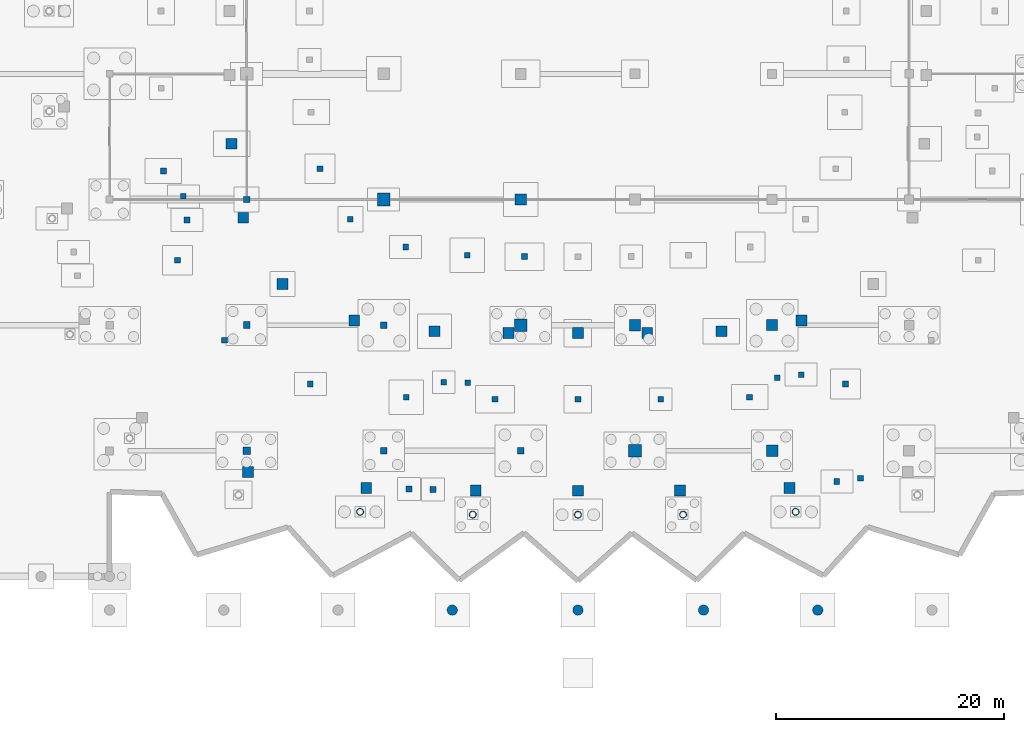
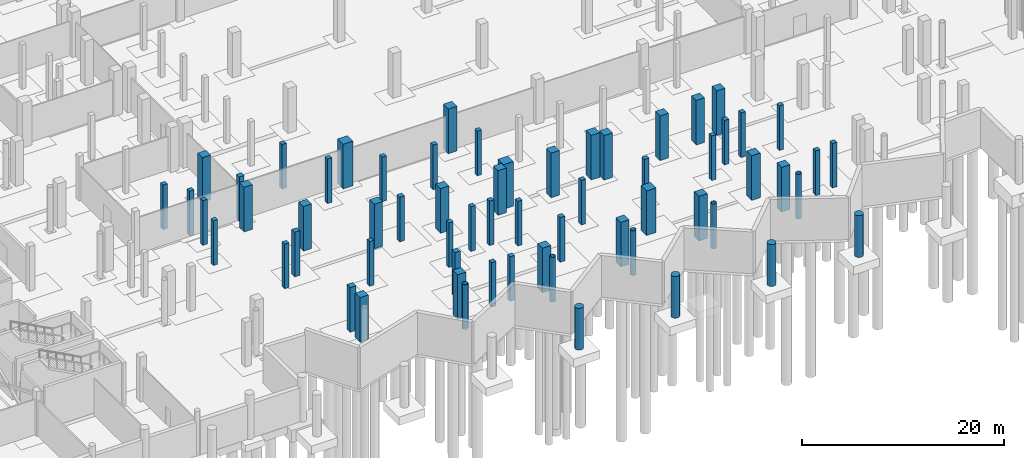
# One storey, part 13 of 60: 63 columns.
"""IFC4 building model written with IfcOpenShell, lengths in metres."""

from ifc_helpers import new_model, si_unit, direction, frame, origin, origin_2d, place, context, subcontext, project, spatial, rectangle, circle, hollow_circle, extrude, material, material_profile, profile_set, type_object, element, save


model = new_model("IFC4")

# Units and contexts
model_context = context("Model", 3, precision=1e-05, world=origin(), true_north=direction((0.0, 1.0)))
body_context = subcontext(model_context, "Body", "Model", "MODEL_VIEW")
ifc_project = project(units=[si_unit("LENGTHUNIT", "METRE"), si_unit("AREAUNIT", "SQUARE_METRE"), si_unit("VOLUMEUNIT", "CUBIC_METRE"), si_unit("PLANEANGLEUNIT", "RADIAN"), si_unit("MASSUNIT", "GRAM", prefix="KILO")], contexts=[model_context])

# Site, building, storey
site_placement = place(None, origin())
site = spatial("IfcSite", under=ifc_project, at=site_placement, CompositionType="ELEMENT")
building_placement = place(site_placement, origin())
building = spatial("IfcBuilding", under=site, at=building_placement, Name="Luwafu Chhajja Arena", CompositionType="ELEMENT")
storey_placement = place(building_placement, frame((0.0, 0.0, -5.39990234375)))
storey = spatial("IfcBuildingStorey", under=building, at=storey_placement, Name="B1", CompositionType="ELEMENT", Elevation=-5.39990234375)

# Columns
ifc_material_1 = material(Name="Concrete C40/50", Category="concrete")
ifc_material_profile_1 = material_profile(ifc_material_1, rectangle(XDim=1.0, YDim=1.0, at=origin_2d()), Name="RC 1000x1000")
ifc_profile_set_1 = profile_set([ifc_material_profile_1], Name="Concrete C40/50")
column_type_1 = type_object("IfcColumnType", Name="Bowl Primary Column RC 1000", PredefinedType="COLUMN", material=ifc_profile_set_1)
for number, where, z_axis, x_axis, name in (
    (1, (94.0, 33.0, 0.0), (0.0, 0.0, 1.0), (1.0, 0.0, 0.0), "B1 Grid Column 9/D"),
    (2, (104.0, 22.0, 0.0), (0.0, 0.0, 1.0), (1.0, 0.0, 0.0), "B1 Grid Column 10/C"),
    (3, (116.0, 11.0, 0.0), (0.0, 0.0, 1.0), (1.0, 0.0, 0.0), "B1 Grid Column 11/B"),
):
    element("IfcColumn", number, at=place(storey_placement, frame(where, z_axis=z_axis, x_axis=x_axis)), inside=storey, type_object=column_type_1, Name=name, PredefinedType="COLUMN", context=body_context, shape_type="SweptSolid", body=[
        extrude(rectangle(XDim=1.0, YDim=1.0, at=origin_2d()), origin(), (0.0, 0.0, 1.0), 5.39990234375),
    ])
ifc_material_profile_2 = material_profile(ifc_material_1, rectangle(XDim=0.949951171875, YDim=0.949951171875, at=origin_2d()), Name="RC 950x950")
ifc_profile_set_2 = profile_set([ifc_material_profile_2], Name="Concrete C40/50")
column_type_2 = type_object("IfcColumnType", Name="Bowl Raker Support Column RC 950", PredefinedType="COLUMN", material=ifc_profile_set_2)
for number, where, z_axis, x_axis, name in (
    (4, (116.0, 22.0, 0.0), (0.0, 0.0, 1.0), (1.0, 0.0, 0.0), "B1 Grid Column 11/C"),
    (5, (68.676513671875, 37.88671875, 0.0), (0.0, 0.0, 1.0), (1.0, 0.0, 0.0), "B1 Upper Bowl Raker Column UI19"),
    (6, (69.701416015625, 31.399658203125, 0.0), (0.0, 0.0, 1.0), (1.0, 0.0, 0.0), "B1 Upper Bowl Raker Column UI20"),
    (7, (73.14013671875, 25.590087890625, 0.0), (0.0, 0.0, 1.0), (1.0, 0.0, 0.0), "B1 Upper Bowl Raker Column UI21"),
    (8, (79.42333984375, 22.410888671875, 0.0), (0.0, 0.0, 1.0), (1.0, 0.0, 0.0), "B1 Upper Bowl Raker Column UI22"),
    (9, (86.439697265625, 21.463134765625, 0.0), (0.0, 0.0, 1.0), (1.0, 0.0, 0.0), "B1 Upper Bowl Raker Column UI23"),
    (10, (92.934814453125, 21.3076171875, 0.0), (0.0, 0.0, 1.0), (1.0, 0.0, 0.0), "B1 Upper Bowl Raker Column UI24"),
    (11, (99.0, 21.300048828125, 0.0), (0.0, 0.0, 1.0), (1.0, 0.0, 0.0), "B1 Upper Bowl Raker Column UI25"),
    (12, (105.065185546875, 21.3076171875, 0.0), (0.0, 0.0, 1.0), (1.0, 0.0, 0.0), "B1 Upper Bowl Raker Column UI26"),
    (13, (111.560302734375, 21.463134765625, 0.0), (0.0, 0.0, 1.0), (1.0, 0.0, 0.0), "B1 Upper Bowl Raker Column UI27"),
    (14, (118.57666015625, 22.410888671875, 0.0), (0.0, 0.0, 1.0), (1.0, 0.0, 0.0), "B1 Upper Bowl Raker Column UI28"),
    (15, (70.116455078125, 9.154541015625, 0.0), (0.0, 0.0, 1.0), (1.0, 0.0, 0.0), "B1 Upper Bowl Raker Column UO22"),
    (16, (80.46826171875, 7.7431640625, 0.0), (0.0, 0.0, 1.0), (1.0, 0.0, 0.0), "B1 Upper Bowl Raker Column UO23"),
    (17, (90.051513671875, 7.51123046875, 0.0), (0.0, 0.0, 1.0), (1.0, 0.0, 0.0), "B1 Upper Bowl Raker Column UO24"),
    (18, (99.0, 7.5, 0.0), (0.0, 0.0, 1.0), (1.0, 0.0, 0.0), "B1 Upper Bowl Raker Column UO25"),
    (19, (107.948486328125, 7.51123046875, 0.0), (0.0, 0.0, 1.0), (1.0, 0.0, 0.0), "B1 Upper Bowl Raker Column UO26"),
    (20, (117.53173828125, 7.7431640625, 0.0), (0.0, 0.0, 1.0), (1.0, 0.0, 0.0), "B1 Upper Bowl Raker Column UO27"),
):
    element("IfcColumn", number, at=place(storey_placement, frame(where, z_axis=z_axis, x_axis=x_axis)), inside=storey, type_object=column_type_2, Name=name, PredefinedType="COLUMN", context=body_context, shape_type="SweptSolid", body=[
        extrude(rectangle(XDim=0.949951171875, YDim=0.949951171875, at=origin_2d()), origin(), (0.0, 0.0, 1.0), 5.39990234375),
    ])
ifc_material_profile_3 = material_profile(ifc_material_1, rectangle(XDim=1.10009765625, YDim=1.10009765625, at=origin_2d()), Name="RC 1100x1100")
ifc_profile_set_3 = profile_set([ifc_material_profile_3], Name="Concrete C40/50")
column_type_3 = type_object("IfcColumnType", Name="Bowl Rim Mega Column RC 1100", PredefinedType="COLUMN", material=ifc_profile_set_3)
for number, where, z_axis, x_axis, name in (
    (21, (82.0, 33.0, 0.0), (0.0, 0.0, 1.0), (1.0, 0.0, 0.0), "B1 Grid Column 8/D"),
    (22, (94.0, 22.0, 0.0), (0.0, 0.0, 1.0), (1.0, 0.0, 0.0), "B1 Grid Column 9/C"),
    (23, (104.0, 11.0, 0.0), (0.0, 0.0, 1.0), (1.0, 0.0, 0.0), "B1 Grid Column 10/B"),
):
    element("IfcColumn", number, at=place(storey_placement, frame(where, z_axis=z_axis, x_axis=x_axis)), inside=storey, type_object=column_type_3, Name=name, PredefinedType="COLUMN", context=body_context, shape_type="SweptSolid", body=[
        extrude(rectangle(XDim=1.10009765625, YDim=1.10009765625, at=origin_2d()), origin(), (0.0, 0.0, 1.0), 5.39990234375),
    ])
ifc_material_2 = material(Name="Concrete C35/45", Category="concrete")
ifc_material_profile_4 = material_profile(ifc_material_2, rectangle(XDim=0.550048828125, YDim=0.550048828125, at=origin_2d()), Name="RC 550x550")
ifc_profile_set_4 = profile_set([ifc_material_profile_4], Name="Concrete C35/45")
column_type_4 = type_object("IfcColumnType", Name="Gallery Column RC 550", PredefinedType="COLUMN", material=ifc_profile_set_4)
for number, where, z_axis, x_axis, name in (
    (24, (70.0, 33.0, 0.0), (0.0, 0.0, 1.0), (1.0, 0.0, 0.0), "B1 Grid Column 7/D"),
    (25, (82.0, 22.0, 0.0), (0.0, 0.0, 1.0), (1.0, 0.0, 0.0), "B1 Grid Column 8/C"),
    (26, (94.0, 11.0, 0.0), (0.0, 0.0, 1.0), (1.0, 0.0, 0.0), "B1 Grid Column 9/B"),
):
    element("IfcColumn", number, at=place(storey_placement, frame(where, z_axis=z_axis, x_axis=x_axis)), inside=storey, type_object=column_type_4, Name=name, PredefinedType="COLUMN", context=body_context, shape_type="SweptSolid", body=[
        extrude(rectangle(XDim=0.550048828125, YDim=0.550048828125, at=origin_2d()), origin(), (0.0, 0.0, 1.0), 5.39990234375),
    ])
ifc_material_profile_5 = material_profile(ifc_material_2, rectangle(XDim=0.60009765625, YDim=0.60009765625, at=origin_2d()), Name="RC 600x600")
ifc_profile_set_5 = profile_set([ifc_material_profile_5], Name="Concrete C35/45")
column_type_5 = type_object("IfcColumnType", Name="Mezzanine Column RC 600", PredefinedType="COLUMN", material=ifc_profile_set_5)
for number, where, z_axis, x_axis, name in (
    (27, (70.0, 22.0, 0.0), (0.0, 0.0, 1.0), (1.0, 0.0, 0.0), "B1 Grid Column 7/C"),
    (28, (82.0, 11.0, 0.0), (0.0, 0.0, 1.0), (1.0, 0.0, 0.0), "B1 Grid Column 8/B"),
):
    element("IfcColumn", number, at=place(storey_placement, frame(where, z_axis=z_axis, x_axis=x_axis)), inside=storey, type_object=column_type_5, Name=name, PredefinedType="COLUMN", context=body_context, shape_type="SweptSolid", body=[
        extrude(rectangle(XDim=0.60009765625, YDim=0.60009765625, at=origin_2d()), origin(), (0.0, 0.0, 1.0), 5.39990234375),
    ])
ifc_material_profile_6 = material_profile(ifc_material_1, circle(Radius=0.449951171875, at=origin_2d()), Name="RC COL D900")
ifc_profile_set_6 = profile_set([ifc_material_profile_6], Name="Concrete C40/50")
column_type_6 = type_object("IfcColumnType", Name="Mughal Colonnade Drum Pier D900", PredefinedType="COLUMN", material=ifc_profile_set_6)
for number, where, z_axis, x_axis, name in (
    (29, (88.0, -2.949951171875, 0.0), (0.0, 0.0, 1.0), (1.0, 0.0, 0.0), "B1 Plinth Apron Pier FC09"),
    (30, (99.0, -2.949951171875, 0.0), (0.0, 0.0, 1.0), (1.0, 0.0, 0.0), "B1 Plinth Apron Pier FC10"),
    (31, (110.0, -2.949951171875, 0.0), (0.0, 0.0, 1.0), (1.0, 0.0, 0.0), "B1 Plinth Apron Pier FC11"),
    (32, (120.0, -2.949951171875, 0.0), (0.0, 0.0, 1.0), (1.0, 0.0, 0.0), "B1 Plinth Apron Pier FC12"),
):
    element("IfcColumn", number, at=place(storey_placement, frame(where, z_axis=z_axis, x_axis=x_axis)), inside=storey, type_object=column_type_6, Name=name, PredefinedType="COLUMN", context=body_context, shape_type="SweptSolid", body=[
        extrude(circle(Radius=0.449951171875, at=origin_2d()), origin(), (0.0, 0.0, 1.0), 5.0498046875),
    ])
ifc_material_profile_7 = material_profile(ifc_material_2, rectangle(XDim=0.5, YDim=0.5, at=origin_2d()), Name="RC 500x500")
ifc_profile_set_7 = profile_set([ifc_material_profile_7], Name="Concrete C35/45")
column_type_7 = type_object("IfcColumnType", Name="Pavilion Column RC 500", PredefinedType="COLUMN", material=ifc_profile_set_7)
for number, where, z_axis, x_axis, name in (
    (33, (76.42578125, 35.7001953125, 0.0), (0.0, 0.0, 1.0), (1.0, 0.0, 0.0), "B1 Lower Bowl Support Column 20"),
    (34, (79.0751953125, 31.27099609375, 0.0), (0.0, 0.0, 1.0), (1.0, 0.0, 0.0), "B1 Lower Bowl Support Column 21"),
    (35, (83.91650390625, 28.846923828125, 0.0), (0.0, 0.0, 1.0), (1.0, 0.0, 0.0), "B1 Lower Bowl Support Column 22"),
    (36, (89.322265625, 28.12451171875, 0.0), (0.0, 0.0, 1.0), (1.0, 0.0, 0.0), "B1 Lower Bowl Support Column 23"),
    (37, (94.326904296875, 28.005859375, 0.0), (0.0, 0.0, 1.0), (1.0, 0.0, 0.0), "B1 Lower Bowl Support Column 24"),
    (38, (62.711181640625, 35.498291015625, 0.0), (0.0, 0.0, 1.0), (1.0, 0.0, 0.0), "B1 Lower Bowl Support Column 19"),
    (39, (63.93798828125, 27.677001953125, 0.0), (0.0, 0.0, 1.0), (1.0, 0.0, 0.0), "B1 Lower Bowl Support Column 20"),
    (40, (68.052978515625, 20.672607421875, 0.0), (0.0, 0.0, 1.0), (1.0, 0.0, 0.0), "B1 Lower Bowl Support Column 21"),
    (41, (75.572265625, 16.83935546875, 0.0), (0.0, 0.0, 1.0), (1.0, 0.0, 0.0), "B1 Lower Bowl Support Column 22"),
    (42, (83.96875, 15.69677734375, 0.0), (0.0, 0.0, 1.0), (1.0, 0.0, 0.0), "B1 Lower Bowl Support Column 23"),
    (43, (91.74169921875, 15.50927734375, 0.0), (0.0, 0.0, 1.0), (1.0, 0.0, 0.0), "B1 Lower Bowl Support Column 24"),
    (44, (99.0, 15.5, 0.0), (0.0, 0.0, 1.0), (1.0, 0.0, 0.0), "B1 Lower Bowl Support Column 25"),
    (45, (106.25830078125, 15.50927734375, 0.0), (0.0, 0.0, 1.0), (1.0, 0.0, 0.0), "B1 Lower Bowl Support Column 26"),
    (46, (114.03125, 15.69677734375, 0.0), (0.0, 0.0, 1.0), (1.0, 0.0, 0.0), "B1 Lower Bowl Support Column 27"),
    (47, (122.427734375, 16.83935546875, 0.0), (0.0, 0.0, 1.0), (1.0, 0.0, 0.0), "B1 Lower Bowl Support Column 28"),
    (48, (64.457763671875, 33.275390625, 0.0), (0.0, 0.0, 1.0), (1.0, 0.0, 0.0), "B1 Vomitory Stack Column VL19A"),
    (49, (64.783203125, 31.200927734375, 0.0), (0.0, 0.0, 1.0), (1.0, 0.0, 0.0), "B1 Vomitory Stack Column VL19B"),
    (50, (87.25830078125, 17.005859375, 0.0), (0.0, 0.0, 1.0), (1.0, 0.0, 0.0), "B1 Vomitory Stack Column VL23A"),
    (51, (89.35791015625, 16.955078125, 0.0), (0.0, 0.0, 1.0), (1.0, 0.0, 0.0), "B1 Vomitory Stack Column VL23B"),
    (52, (84.210205078125, 7.652587890625, 0.0), (0.0, 0.0, 1.0), (1.0, 0.0, 0.0), "B1 Vomitory Stack Column VU23A"),
    (53, (86.3095703125, 7.601806640625, 0.0), (0.0, 0.0, 1.0), (1.0, 0.0, 0.0), "B1 Vomitory Stack Column VU23B"),
    (54, (116.462890625, 17.381591796875, 0.0), (0.0, 0.0, 1.0), (1.0, 0.0, 0.0), "B1 Vomitory Stack Column VL27A"),
    (55, (118.543701171875, 17.664794921875, 0.0), (0.0, 0.0, 1.0), (1.0, 0.0, 0.0), "B1 Vomitory Stack Column VL27B"),
    (56, (121.667236328125, 8.306884765625, 0.0), (0.0, 0.0, 1.0), (1.0, 0.0, 0.0), "B1 Vomitory Stack Column VU27A"),
    (57, (123.748046875, 8.5908203125, 0.0), (0.0, 0.0, 1.0), (1.0, 0.0, 0.0), "B1 Vomitory Stack Column VU27B"),
):
    element("IfcColumn", number, at=place(storey_placement, frame(where, z_axis=z_axis, x_axis=x_axis)), inside=storey, type_object=column_type_7, Name=name, PredefinedType="COLUMN", context=body_context, shape_type="SweptSolid", body=[
        extrude(rectangle(XDim=0.5, YDim=0.5, at=origin_2d()), origin(), (0.0, 0.0, 1.0), 5.39990234375),
    ])
ifc_material_3 = material(Name="Steel S355", Category="steel")
ifc_material_profile_8 = material_profile(ifc_material_3, hollow_circle(Radius=0.304931640625, WallThickness=0.02490234375, at=origin_2d()), Name="CHS 610x25")
ifc_profile_set_8 = profile_set([ifc_material_profile_8], Name="Steel S355")
column_type_8 = type_object("IfcColumnType", Name="Steel Bowl Drum Column CHS 610", PredefinedType="COLUMN", material=ifc_profile_set_8)
for number, where, z_axis, x_axis, name in (
    (58, (79.932861328125, 5.6552734375, 0.0), (0.0, 0.0, 1.0), (1.0, 0.0, 0.0), "B1 Bowl Drum Column D23"),
    (59, (89.792724609375, 5.411865234375, 0.0), (0.0, 0.0, 1.0), (1.0, 0.0, 0.0), "B1 Bowl Drum Column D24"),
    (60, (99.0, 5.39990234375, 0.0), (0.0, 0.0, 1.0), (1.0, 0.0, 0.0), "B1 Bowl Drum Column D25"),
    (61, (108.207275390625, 5.411865234375, 0.0), (0.0, 0.0, 1.0), (1.0, 0.0, 0.0), "B1 Bowl Drum Column D26"),
    (62, (118.067138671875, 5.6552734375, 0.0), (0.0, 0.0, 1.0), (1.0, 0.0, 0.0), "B1 Bowl Drum Column D27"),
):
    element("IfcColumn", number, at=place(storey_placement, frame(where, z_axis=z_axis, x_axis=x_axis)), inside=storey, type_object=column_type_8, Name=name, PredefinedType="COLUMN", context=body_context, shape_type="SweptSolid", body=[
        extrude(hollow_circle(Radius=0.304931640625, WallThickness=0.02490234375, at=origin_2d()), origin(), (0.0, 0.0, 1.0), 5.39990234375),
    ])
ifc_material_profile_9 = material_profile(ifc_material_2, rectangle(XDim=0.64990234375, YDim=0.64990234375, at=origin_2d()), Name="RC 650x650")
ifc_profile_set_9 = profile_set([ifc_material_profile_9], Name="Concrete C35/45")
column_type_9 = type_object("IfcColumnType", Name="Upper Wing Column RC 650", PredefinedType="COLUMN", material=ifc_profile_set_9)
column_placement = place(storey_placement, frame((70.0, 11.0, 0.0), z_axis=(0.0, 0.0, 1.0), x_axis=(1.0, 0.0, 0.0)))
element("IfcColumn", 63, at=column_placement, inside=storey, type_object=column_type_9, Name="B1 Grid Column 7/B", PredefinedType="COLUMN", context=body_context, shape_type="SweptSolid", body=[
    extrude(rectangle(XDim=0.64990234375, YDim=0.64990234375, at=origin_2d()), origin(), (0.0, 0.0, 1.0), 5.39990234375),
])

save(model, "model.ifc")
